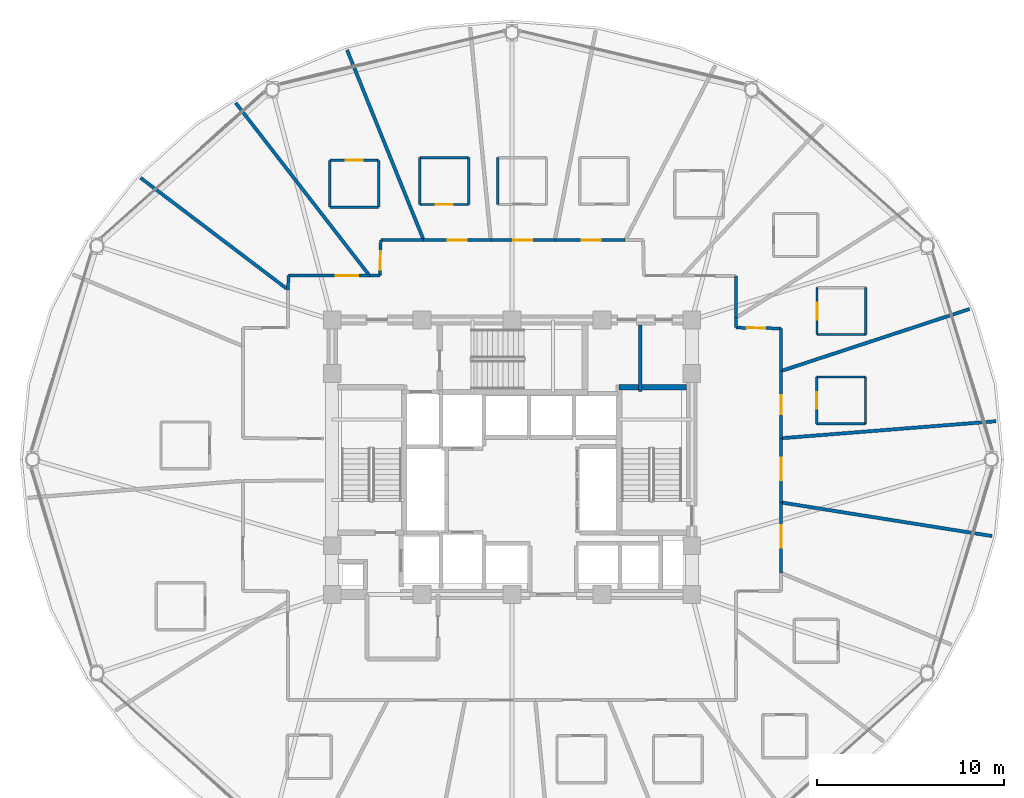
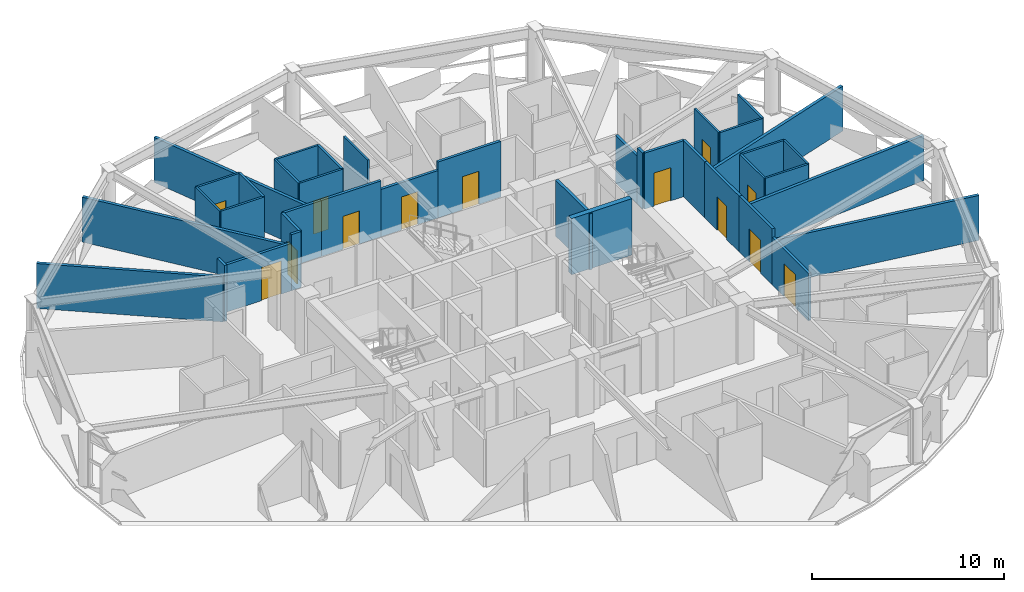
# One storey, part 27 of 32: 39 walls, 13 doors, 13 openings.
"""IFC4 building model written with IfcOpenShell, lengths in metres."""

from ifc_helpers import new_model, si_unit, direction, frame, frame_2d, origin, place, context, subcontext, project, spatial, rectangle, extrude, material, layer, layer_set, type_object, element, fill, save


model = new_model("IFC4")

# Units and contexts
model_context = context("Model", 3, precision=1e-05, world=origin(), true_north=direction((0.0, 1.0)))
body_context = subcontext(model_context, "Body", "Model", "MODEL_VIEW")
ifc_project = project(units=[si_unit("LENGTHUNIT", "METRE"), si_unit("AREAUNIT", "SQUARE_METRE"), si_unit("VOLUMEUNIT", "CUBIC_METRE"), si_unit("PLANEANGLEUNIT", "RADIAN"), si_unit("MASSUNIT", "GRAM", prefix="KILO")], contexts=[model_context])

# Site, building, storey
site_placement = place(None, origin())
site = spatial("IfcSite", under=ifc_project, at=site_placement, CompositionType="ELEMENT")
building_placement = place(site_placement, origin())
building = spatial("IfcBuilding", under=site, at=building_placement, Name="Vantalir Tower", CompositionType="ELEMENT")
storey_placement = place(building_placement, frame((0.0, 0.0, 100.949951171875)))
storey = spatial("IfcBuildingStorey", under=building, at=storey_placement, Name="L24", CompositionType="ELEMENT", Elevation=100.949951171875)

# Walls
ifc_material_1 = material(Name="Moisture-resistant en-suite partition", Category="gypsum")
ifc_layer_1 = layer(ifc_material_1, 0.125)
ifc_layer_set_1 = layer_set([ifc_layer_1], Name="Moisture-resistant en-suite partition")
wall_type_1 = type_object("IfcWallType", Name="WL-BATH-125", PredefinedType="PARTITIONING", material=ifc_layer_set_1)
for number, where, z_axis, x_axis, name in (
    (1, (47.76611328125, 26.903076171875, 0.0), (0.0, 0.0, 1.0), (1.0, 0.0, 0.0), "L24 En-suite 01 South Wall"),
    (2, (47.76611328125, 29.403076171875, 0.0), (0.0, 0.0, 1.0), (1.0, 0.0, 0.0), "L24 En-suite 01 North Wall"),
):
    element("IfcWall", number, at=place(storey_placement, frame(where, z_axis=z_axis, x_axis=x_axis)), inside=storey, type_object=wall_type_1, Name=name, PredefinedType="PARTITIONING", context=body_context, shape_type="SweptSolid", body=[
        extrude(rectangle(XDim=2.599853515625, YDim=0.125, at=frame_2d((1.2998046875, 0.0))), origin(), (0.0, 0.0, 1.0), 3.550048828125),
    ])

# Wall, opening, door
wall_1_placement = place(storey_placement, frame((47.76611328125, 26.903076171875, 0.0), z_axis=(0.0, 0.0, 1.0), x_axis=(0.0, 1.0, 0.0)))
wall_1 = element("IfcWall", 3, at=wall_1_placement, inside=storey, type_object=wall_type_1, Name="L24 En-suite 01 West Wall", PredefinedType="PARTITIONING", context=body_context, shape_type="SweptSolid", body=[
    extrude(rectangle(XDim=2.5, YDim=0.125, at=frame_2d((1.25, 0.0))), origin(), (0.0, 0.0, 1.0), 3.550048828125),
])
opening_1_placement = place(wall_1_placement, frame((0.800048828125, 0.0, 0.0)))
opening_1 = element("IfcOpeningElement", 4, at=opening_1_placement, cuts=wall_1, Name="Opening D-WC", PredefinedType="OPENING", context=body_context, shape_type="SweptSolid", body=[
    extrude(rectangle(XDim=0.89990234375, YDim=2.10009765625, at=frame_2d((0.449951171875, 1.050048828125))), frame((0.0, 0.072509765625, 0.0), z_axis=(0.0, -1.0, 0.0), x_axis=(1.0, 0.0, 0.0)), (0.0, 0.0, 1.0), 0.14501953125),
])
ifc_material_2 = material(Name="Moisture-resistant hardwood door", Category="wood")
door_type_1 = type_object("IfcDoorType", Name="DR-ENSUITE-900", OperationType="NOTDEFINED", PredefinedType="DOOR", material=ifc_material_2)
door_1_placement = place(opening_1_placement, frame((0.89990234375, 0.0, 0.0), z_axis=(0.0, 0.0, 1.0), x_axis=(-1.0, 0.0, 0.0)))
door_1 = element("IfcDoor", 5, at=door_1_placement, inside=storey, type_object=door_type_1, Name="L24 En-suite 01 Door", OperationType="SINGLE_SWING_RIGHT", OverallHeight=2.10009765625, OverallWidth=0.89990234375, PredefinedType="DOOR", context=body_context, shape_type="SweptSolid", body=[
    extrude(rectangle(XDim=0.89990234375, YDim=2.10009765625, at=frame_2d((0.449951171875, 1.050048828125))), frame((0.0, 0.02490234375, 0.0), z_axis=(0.0, -1.0, 0.0), x_axis=(1.0, 0.0, 0.0)), (0.0, 0.0, 1.0), 0.050048828125),
])
fill(opening_1, door_1)

# Walls
wall_2_placement = place(storey_placement, frame((50.365966796875, 26.903076171875, 0.0), z_axis=(0.0, 0.0, 1.0), x_axis=(0.0, 1.0, 0.0)))
element("IfcWall", 6, at=wall_2_placement, inside=storey, type_object=wall_type_1, Name="L24 En-suite 01 East Wall", PredefinedType="PARTITIONING", context=body_context, shape_type="SweptSolid", body=[
    extrude(rectangle(XDim=2.5, YDim=0.125, at=frame_2d((1.25, 0.0))), origin(), (0.0, 0.0, 1.0), 3.550048828125),
])
wall_3_placement = place(storey_placement, frame((47.784912109375, 31.673095703125, 0.0), z_axis=(0.0, 0.0, 1.0), x_axis=(1.0, 0.0, 0.0)))
element("IfcWall", 7, at=wall_3_placement, inside=storey, type_object=wall_type_1, Name="L24 En-suite 02 South Wall", PredefinedType="PARTITIONING", context=body_context, shape_type="SweptSolid", body=[
    extrude(rectangle(XDim=2.60009765625, YDim=0.125, at=frame_2d((1.300048828125, 0.0))), origin(), (0.0, 0.0, 1.0), 3.550048828125),
])

# Wall, opening, door
wall_4_placement = place(storey_placement, frame((47.784912109375, 31.673095703125, 0.0), z_axis=(0.0, 0.0, 1.0), x_axis=(0.0, 1.0, 0.0)))
wall_4 = element("IfcWall", 8, at=wall_4_placement, inside=storey, type_object=wall_type_1, Name="L24 En-suite 02 West Wall", PredefinedType="PARTITIONING", context=body_context, shape_type="SweptSolid", body=[
    extrude(rectangle(XDim=2.5, YDim=0.125, at=frame_2d((1.25, 0.0))), origin(), (0.0, 0.0, 1.0), 3.550048828125),
])
opening_2_placement = place(wall_4_placement, frame((0.800048828125, 0.0, 0.0)))
opening_2 = element("IfcOpeningElement", 9, at=opening_2_placement, cuts=wall_4, Name="Opening D-WC", PredefinedType="OPENING", context=body_context, shape_type="SweptSolid", body=[
    extrude(rectangle(XDim=0.89990234375, YDim=2.10009765625, at=frame_2d((0.449951171875, 1.050048828125))), frame((0.0, 0.072509765625, 0.0), z_axis=(0.0, -1.0, 0.0), x_axis=(1.0, 0.0, 0.0)), (0.0, 0.0, 1.0), 0.14501953125),
])
door_2_placement = place(opening_2_placement, frame((0.89990234375, 0.0, 0.0), z_axis=(0.0, 0.0, 1.0), x_axis=(-1.0, 0.0, 0.0)))
door_2 = element("IfcDoor", 10, at=door_2_placement, inside=storey, type_object=door_type_1, Name="L24 En-suite 02 Door", OperationType="SINGLE_SWING_LEFT", OverallHeight=2.10009765625, OverallWidth=0.89990234375, PredefinedType="DOOR", context=body_context, shape_type="SweptSolid", body=[
    extrude(rectangle(XDim=0.89990234375, YDim=2.10009765625, at=frame_2d((0.449951171875, 1.050048828125))), frame((0.0, 0.02490234375, 0.0), z_axis=(0.0, -1.0, 0.0), x_axis=(1.0, 0.0, 0.0)), (0.0, 0.0, 1.0), 0.050048828125),
])
fill(opening_2, door_2)

# Walls
for number, where, z_axis, x_axis, name in (
    (11, (50.385009765625, 31.673095703125, 0.0), (0.0, 0.0, 1.0), (0.0, 1.0, 0.0), "L24 En-suite 02 East Wall"),
    (12, (30.7451171875, 38.617919921875, 0.0), (0.0, 0.0, 1.0), (0.0, 1.0, 0.0), "L24 En-suite 06 West Wall"),
):
    element("IfcWall", number, at=place(storey_placement, frame(where, z_axis=z_axis, x_axis=x_axis)), inside=storey, type_object=wall_type_1, Name=name, PredefinedType="PARTITIONING", context=body_context, shape_type="SweptSolid", body=[
        extrude(rectangle(XDim=2.5, YDim=0.125, at=frame_2d((1.25, 0.0))), origin(), (0.0, 0.0, 1.0), 3.550048828125),
    ])

# Wall, opening, door
wall_5_placement = place(storey_placement, frame((26.583984375, 38.614990234375, 0.0), z_axis=(0.0, 0.0, 1.0), x_axis=(1.0, 0.0, 0.0)))
wall_5 = element("IfcWall", 13, at=wall_5_placement, inside=storey, type_object=wall_type_1, Name="L24 En-suite 07 South Wall", PredefinedType="PARTITIONING", context=body_context, shape_type="SweptSolid", body=[
    extrude(rectangle(XDim=2.60009765625, YDim=0.125, at=frame_2d((1.300048828125, 0.0))), origin(), (0.0, 0.0, 1.0), 3.550048828125),
])
opening_3_placement = place(wall_5_placement, frame((0.85009765625, 0.0, 0.0)))
opening_3 = element("IfcOpeningElement", 14, at=opening_3_placement, cuts=wall_5, Name="Opening D-WC", PredefinedType="OPENING", context=body_context, shape_type="SweptSolid", body=[
    extrude(rectangle(XDim=0.89990234375, YDim=2.10009765625, at=frame_2d((0.449951171875, 1.050048828125))), frame((0.0, 0.072509765625, 0.0), z_axis=(0.0, -1.0, 0.0), x_axis=(1.0, 0.0, 0.0)), (0.0, 0.0, 1.0), 0.14501953125),
])
door_3_placement = place(opening_3_placement, origin())
door_3 = element("IfcDoor", 15, at=door_3_placement, inside=storey, type_object=door_type_1, Name="L24 En-suite 07 Door", OperationType="SINGLE_SWING_RIGHT", OverallHeight=2.10009765625, OverallWidth=0.89990234375, PredefinedType="DOOR", context=body_context, shape_type="SweptSolid", body=[
    extrude(rectangle(XDim=0.89990234375, YDim=2.10009765625, at=frame_2d((0.449951171875, 1.050048828125))), frame((0.0, 0.02490234375, 0.0), z_axis=(0.0, -1.0, 0.0), x_axis=(1.0, 0.0, 0.0)), (0.0, 0.0, 1.0), 0.050048828125),
])
fill(opening_3, door_3)

# Walls
wall_6_placement = place(storey_placement, frame((26.583984375, 41.114990234375, 0.0), z_axis=(0.0, 0.0, 1.0), x_axis=(1.0, 0.0, 0.0)))
element("IfcWall", 16, at=wall_6_placement, inside=storey, type_object=wall_type_1, Name="L24 En-suite 07 North Wall", PredefinedType="PARTITIONING", context=body_context, shape_type="SweptSolid", body=[
    extrude(rectangle(XDim=2.60009765625, YDim=0.125, at=frame_2d((1.300048828125, 0.0))), origin(), (0.0, 0.0, 1.0), 3.550048828125),
])
for number, where, z_axis, x_axis, name in (
    (17, (26.583984375, 38.614990234375, 0.0), (0.0, 0.0, 1.0), (0.0, 1.0, 0.0), "L24 En-suite 07 West Wall"),
    (18, (29.18408203125, 38.614990234375, 0.0), (0.0, 0.0, 1.0), (0.0, 1.0, 0.0), "L24 En-suite 07 East Wall"),
):
    element("IfcWall", number, at=place(storey_placement, frame(where, z_axis=z_axis, x_axis=x_axis)), inside=storey, type_object=wall_type_1, Name=name, PredefinedType="PARTITIONING", context=body_context, shape_type="SweptSolid", body=[
        extrude(rectangle(XDim=2.5, YDim=0.125, at=frame_2d((1.25, 0.0))), origin(), (0.0, 0.0, 1.0), 3.550048828125),
    ])
wall_7_placement = place(storey_placement, frame((21.779052734375, 38.469970703125, 0.0), z_axis=(0.0, 0.0, 1.0), x_axis=(1.0, 0.0, 0.0)))
element("IfcWall", 19, at=wall_7_placement, inside=storey, type_object=wall_type_1, Name="L24 En-suite 08 South Wall", PredefinedType="PARTITIONING", context=body_context, shape_type="SweptSolid", body=[
    extrude(rectangle(XDim=2.599853515625, YDim=0.125, at=frame_2d((1.2998046875, 0.0))), origin(), (0.0, 0.0, 1.0), 3.550048828125),
])

# Wall, opening, door
wall_8_placement = place(storey_placement, frame((21.779052734375, 40.969970703125, 0.0), z_axis=(0.0, 0.0, 1.0), x_axis=(1.0, 0.0, 0.0)))
wall_8 = element("IfcWall", 20, at=wall_8_placement, inside=storey, type_object=wall_type_1, Name="L24 En-suite 08 North Wall", PredefinedType="PARTITIONING", context=body_context, shape_type="SweptSolid", body=[
    extrude(rectangle(XDim=2.599853515625, YDim=0.125, at=frame_2d((1.2998046875, 0.0))), origin(), (0.0, 0.0, 1.0), 3.550048828125),
])
opening_4_placement = place(wall_8_placement, frame((0.85009765625, 0.0, 0.0)))
opening_4 = element("IfcOpeningElement", 21, at=opening_4_placement, cuts=wall_8, Name="Opening D-WC", PredefinedType="OPENING", context=body_context, shape_type="SweptSolid", body=[
    extrude(rectangle(XDim=0.89990234375, YDim=2.10009765625, at=frame_2d((0.449951171875, 1.050048828125))), frame((0.0, 0.072509765625, 0.0), z_axis=(0.0, -1.0, 0.0), x_axis=(1.0, 0.0, 0.0)), (0.0, 0.0, 1.0), 0.14501953125),
])
door_4_placement = place(opening_4_placement, frame((0.89990234375, 0.0, 0.0), z_axis=(0.0, 0.0, 1.0), x_axis=(-1.0, 0.0, 0.0)))
door_4 = element("IfcDoor", 22, at=door_4_placement, inside=storey, type_object=door_type_1, Name="L24 En-suite 08 Door", OperationType="SINGLE_SWING_LEFT", OverallHeight=2.10009765625, OverallWidth=0.89990234375, PredefinedType="DOOR", context=body_context, shape_type="SweptSolid", body=[
    extrude(rectangle(XDim=0.89990234375, YDim=2.10009765625, at=frame_2d((0.449951171875, 1.050048828125))), frame((0.0, 0.02490234375, 0.0), z_axis=(0.0, -1.0, 0.0), x_axis=(1.0, 0.0, 0.0)), (0.0, 0.0, 1.0), 0.050048828125),
])
fill(opening_4, door_4)

# Walls
for number, where, z_axis, x_axis, name in (
    (23, (21.779052734375, 38.469970703125, 0.0), (0.0, 0.0, 1.0), (0.0, 1.0, 0.0), "L24 En-suite 08 West Wall"),
    (24, (24.37890625, 38.469970703125, 0.0), (0.0, 0.0, 1.0), (0.0, 1.0, 0.0), "L24 En-suite 08 East Wall"),
):
    element("IfcWall", number, at=place(storey_placement, frame(where, z_axis=z_axis, x_axis=x_axis)), inside=storey, type_object=wall_type_1, Name=name, PredefinedType="PARTITIONING", context=body_context, shape_type="SweptSolid", body=[
        extrude(rectangle(XDim=2.5, YDim=0.125, at=frame_2d((1.25, 0.0))), origin(), (0.0, 0.0, 1.0), 3.550048828125),
    ])
ifc_material_3 = material(Name="Fire-rated hotel corridor acoustic partition", Category="gypsum")
ifc_layer_2 = layer(ifc_material_3, 0.159912109375)
ifc_layer_set_2 = layer_set([ifc_layer_2], Name="Fire-rated hotel corridor acoustic partition")
wall_type_2 = type_object("IfcWallType", Name="WL-CORR-160", PredefinedType="PARTITIONING", material=ifc_layer_set_2)
wall_9_placement = place(storey_placement, frame((19.552978515625, 34.06201171875, 0.0), z_axis=(0.0, 0.0, 1.0), x_axis=(0.009439683565, 0.999955445195, 0.0)))
element("IfcWall", 25, at=wall_9_placement, inside=storey, type_object=wall_type_2, Name="L24 Corridor Partition 06", PredefinedType="PARTITIONING", context=body_context, shape_type="SweptSolid", body=[
    extrude(rectangle(XDim=0.75, YDim=0.159912109375, at=frame_2d((0.375, 0.0))), origin(), (0.0, 0.0, 1.0), 3.550048828125),
])

# Wall, opening, door
wall_10_placement = place(storey_placement, frame((19.56005859375, 34.81201171875, 0.0), z_axis=(0.0, 0.0, 1.0), x_axis=(0.999999771834, 0.000675523377, 0.0)))
wall_10 = element("IfcWall", 26, at=wall_10_placement, inside=storey, type_object=wall_type_2, Name="L24 Corridor Partition 07", PredefinedType="PARTITIONING", context=body_context, shape_type="SweptSolid", body=[
    extrude(rectangle(XDim=4.3369140625, YDim=0.159912109375, at=frame_2d((2.16845703125, 0.0))), origin(), (0.0, 0.0, 1.0), 3.006103515625),
])
opening_5_placement = place(wall_10_placement, frame((2.531982421875, 0.0, 0.0)))
opening_5 = element("IfcOpeningElement", 27, at=opening_5_placement, cuts=wall_10, Name="Opening D-STE", PredefinedType="OPENING", context=body_context, shape_type="SweptSolid", body=[
    extrude(rectangle(XDim=1.199951171875, YDim=2.10009765625, at=frame_2d((0.60009765625, 1.050048828125))), frame((0.0, 0.08984375, 0.0), z_axis=(0.0, -1.0, 0.0), x_axis=(1.0, 0.0, 0.0)), (0.0, 0.0, 1.0), 0.179931640625),
])
ifc_material_4 = material(Name="Solid-core teak veneer suite entrance door", Category="wood")
door_type_2 = type_object("IfcDoorType", Name="DR-SUITE-ENTRY-1200", OperationType="NOTDEFINED", PredefinedType="DOOR", material=ifc_material_4)
door_5_placement = place(opening_5_placement, origin())
door_5 = element("IfcDoor", 28, at=door_5_placement, inside=storey, type_object=door_type_2, Name="L24 Club Reading Lounge 09 Door", OperationType="SINGLE_SWING_RIGHT", OverallHeight=2.10009765625, OverallWidth=1.199951171875, PredefinedType="DOOR", context=body_context, shape_type="SweptSolid", body=[
    extrude(rectangle(XDim=1.199951171875, YDim=2.10009765625, at=frame_2d((0.60009765625, 1.050048828125))), frame((0.0, 0.02490234375, 0.0), z_axis=(0.0, -1.0, 0.0), x_axis=(1.0, 0.0, 0.0)), (0.0, 0.0, 1.0), 0.050048828125),
])
fill(opening_5, door_5)

# Wall
wall_11_placement = place(storey_placement, frame((23.89697265625, 34.81494140625, 0.0), z_axis=(0.0, 0.0, 1.0), x_axis=(1.0, 0.0, 0.0)))
element("IfcWall", 29, at=wall_11_placement, inside=storey, type_object=wall_type_2, Name="L24 Corridor Partition 08", PredefinedType="PARTITIONING", context=body_context, shape_type="SweptSolid", body=[
    extrude(rectangle(XDim=0.56298828125, YDim=0.159912109375, at=frame_2d((0.281494140625, 0.0))), origin(), (0.0, 0.0, 1.0), 3.550048828125),
])

# Wall, opening, door
wall_12_placement = place(storey_placement, frame((24.4599609375, 34.81494140625, 0.0), z_axis=(0.0, 0.0, 1.0), x_axis=(0.019012366542, 0.999819248624, 0.0)))
wall_12 = element("IfcWall", 30, at=wall_12_placement, inside=storey, type_object=wall_type_2, Name="L24 Corridor Partition 09", PredefinedType="PARTITIONING", context=body_context, shape_type="SweptSolid", body=[
    extrude(rectangle(XDim=1.900390625, YDim=0.159912109375, at=frame_2d((0.9501953125, 0.0))), origin(), (0.0, 0.0, 1.0), 3.550048828125),
])
opening_6_placement = place(wall_12_placement, frame((0.304931640625, 0.0, 0.0)))
opening_6 = element("IfcOpeningElement", 31, at=opening_6_placement, cuts=wall_12, Name="Opening D-GUEST", PredefinedType="OPENING", context=body_context, shape_type="SweptSolid", body=[
    extrude(rectangle(XDim=1.0, YDim=2.10009765625, at=frame_2d((0.5, 1.050048828125))), frame((0.0, 0.08984375, 0.0), z_axis=(0.0, -1.0, 0.0), x_axis=(1.0, 0.0, 0.0)), (0.0, 0.0, 1.0), 0.179931640625),
])
ifc_material_5 = material(Name="Solid-core teak veneer acoustic fire door", Category="wood")
door_type_3 = type_object("IfcDoorType", Name="DR-GUEST-ENTRY-1000", OperationType="NOTDEFINED", PredefinedType="DOOR", material=ifc_material_5)
door_6_placement = place(opening_6_placement, origin())
door_6 = element("IfcDoor", 32, at=door_6_placement, inside=storey, type_object=door_type_3, Name="L24 Twin Queen Hotel Room 08 Door", OperationType="SINGLE_SWING_LEFT", OverallHeight=2.10009765625, OverallWidth=1.0, PredefinedType="DOOR", context=body_context, shape_type="SweptSolid", body=[
    extrude(rectangle(XDim=1.0, YDim=2.10009765625, at=frame_2d((0.5, 1.050048828125))), frame((0.0, 0.02490234375, 0.0), z_axis=(0.0, -1.0, 0.0), x_axis=(1.0, 0.0, 0.0)), (0.0, 0.0, 1.0), 0.050048828125),
])
fill(opening_6, door_6)

# Wall
wall_13_placement = place(storey_placement, frame((24.49609375, 36.715087890625, 0.0), z_axis=(0.0, 0.0, 1.0), x_axis=(1.0, 0.0, 0.0)))
element("IfcWall", 33, at=wall_13_placement, inside=storey, type_object=wall_type_2, Name="L24 Corridor Partition 10", PredefinedType="PARTITIONING", context=body_context, shape_type="SweptSolid", body=[
    extrude(rectangle(XDim=2.286865234375, YDim=0.159912109375, at=frame_2d((1.1435546875, 0.0))), origin(), (0.0, 0.0, 1.0), 3.550048828125),
])

# Wall, opening, door
wall_14_placement = place(storey_placement, frame((26.782958984375, 36.715087890625, 0.0), z_axis=(0.0, 0.0, 1.0), x_axis=(1.0, 0.0, 0.0)))
wall_14 = element("IfcWall", 34, at=wall_14_placement, inside=storey, type_object=wall_type_2, Name="L24 Corridor Partition 11", PredefinedType="PARTITIONING", context=body_context, shape_type="SweptSolid", body=[
    extrude(rectangle(XDim=3.5830078125, YDim=0.159912109375, at=frame_2d((1.79150390625, 0.0))), origin(), (0.0, 0.0, 1.0), 3.550048828125),
])
opening_7_placement = place(wall_14_placement, frame((1.291015625, 0.0, 0.0)))
opening_7 = element("IfcOpeningElement", 35, at=opening_7_placement, cuts=wall_14, Name="Opening D-GUEST", PredefinedType="OPENING", context=body_context, shape_type="SweptSolid", body=[
    extrude(rectangle(XDim=1.0, YDim=2.10009765625, at=frame_2d((0.5, 1.050048828125))), frame((0.0, 0.08984375, 0.0), z_axis=(0.0, -1.0, 0.0), x_axis=(1.0, 0.0, 0.0)), (0.0, 0.0, 1.0), 0.179931640625),
])
door_7_placement = place(opening_7_placement, origin())
door_7 = element("IfcDoor", 36, at=door_7_placement, inside=storey, type_object=door_type_3, Name="L24 Deluxe King Hotel Room 07 Door", OperationType="SINGLE_SWING_RIGHT", OverallHeight=2.10009765625, OverallWidth=1.0, PredefinedType="DOOR", context=body_context, shape_type="SweptSolid", body=[
    extrude(rectangle(XDim=1.0, YDim=2.10009765625, at=frame_2d((0.5, 1.050048828125))), frame((0.0, 0.02490234375, 0.0), z_axis=(0.0, -1.0, 0.0), x_axis=(1.0, 0.0, 0.0)), (0.0, 0.0, 1.0), 0.050048828125),
])
fill(opening_7, door_7)

wall_15_placement = place(storey_placement, frame((30.365966796875, 36.715087890625, 0.0), z_axis=(0.0, 0.0, 1.0), x_axis=(1.0, 0.0, 0.0)))
wall_15 = element("IfcWall", 37, at=wall_15_placement, inside=storey, type_object=wall_type_2, Name="L24 Corridor Partition 12", PredefinedType="PARTITIONING", context=body_context, shape_type="SweptSolid", body=[
    extrude(rectangle(XDim=3.4189453125, YDim=0.159912109375, at=frame_2d((1.70947265625, 0.0))), origin(), (0.0, 0.0, 1.0), 3.006103515625),
])
opening_8_placement = place(wall_15_placement, frame((1.208984375, 0.0, 0.0)))
opening_8 = element("IfcOpeningElement", 38, at=opening_8_placement, cuts=wall_15, Name="Opening D-GUEST", PredefinedType="OPENING", context=body_context, shape_type="SweptSolid", body=[
    extrude(rectangle(XDim=1.0, YDim=2.10009765625, at=frame_2d((0.5, 1.050048828125))), frame((0.0, 0.08984375, 0.0), z_axis=(0.0, -1.0, 0.0), x_axis=(1.0, 0.0, 0.0)), (0.0, 0.0, 1.0), 0.179931640625),
])
door_8_placement = place(opening_8_placement, origin())
door_8 = element("IfcDoor", 39, at=door_8_placement, inside=storey, type_object=door_type_3, Name="L24 Deluxe King Hotel Room 06 Door", OperationType="SINGLE_SWING_LEFT", OverallHeight=2.10009765625, OverallWidth=1.0, PredefinedType="DOOR", context=body_context, shape_type="SweptSolid", body=[
    extrude(rectangle(XDim=1.0, YDim=2.10009765625, at=frame_2d((0.5, 1.050048828125))), frame((0.0, 0.02490234375, 0.0), z_axis=(0.0, -1.0, 0.0), x_axis=(1.0, 0.0, 0.0)), (0.0, 0.0, 1.0), 0.050048828125),
])
fill(opening_8, door_8)

wall_16_placement = place(storey_placement, frame((33.784912109375, 36.715087890625, 0.0), z_axis=(0.0, 0.0, 1.0), x_axis=(1.0, 0.0, 0.0)))
wall_16 = element("IfcWall", 40, at=wall_16_placement, inside=storey, type_object=wall_type_2, Name="L24 Corridor Partition 13", PredefinedType="PARTITIONING", context=body_context, shape_type="SweptSolid", body=[
    extrude(rectangle(XDim=3.759033203125, YDim=0.159912109375, at=frame_2d((1.87939453125, 0.0))), origin(), (0.0, 0.0, 1.0), 3.550048828125),
])
opening_9_placement = place(wall_16_placement, frame((1.450927734375, 0.0, 0.0)))
opening_9 = element("IfcOpeningElement", 41, at=opening_9_placement, cuts=wall_16, Name="Opening D-GUEST", PredefinedType="OPENING", context=body_context, shape_type="SweptSolid", body=[
    extrude(rectangle(XDim=1.0, YDim=2.10009765625, at=frame_2d((0.5, 1.050048828125))), frame((0.0, 0.08984375, 0.0), z_axis=(0.0, -1.0, 0.0), x_axis=(1.0, 0.0, 0.0)), (0.0, 0.0, 1.0), 0.179931640625),
])
door_9_placement = place(opening_9_placement, origin())
door_9 = element("IfcDoor", 42, at=door_9_placement, inside=storey, type_object=door_type_3, Name="L24 Twin Queen Hotel Room 05 Door", OperationType="SINGLE_SWING_RIGHT", OverallHeight=2.10009765625, OverallWidth=1.0, PredefinedType="DOOR", context=body_context, shape_type="SweptSolid", body=[
    extrude(rectangle(XDim=1.0, YDim=2.10009765625, at=frame_2d((0.5, 1.050048828125))), frame((0.0, 0.02490234375, 0.0), z_axis=(0.0, -1.0, 0.0), x_axis=(1.0, 0.0, 0.0)), (0.0, 0.0, 1.0), 0.050048828125),
])
fill(opening_9, door_9)

# Walls
wall_17_placement = place(storey_placement, frame((43.447021484375, 34.80810546875, 0.0), z_axis=(0.0, 0.0, 1.0), x_axis=(0.006657060824, -0.999977841525, 0.0)))
element("IfcWall", 43, at=wall_17_placement, inside=storey, type_object=wall_type_2, Name="L24 Corridor Partition 18", PredefinedType="PARTITIONING", context=body_context, shape_type="SweptSolid", body=[
    extrude(rectangle(XDim=2.237060546875, YDim=0.159912109375, at=frame_2d((1.11865234375, 0.0))), origin(), (0.0, 0.0, 1.0), 3.006103515625),
])
wall_18_placement = place(storey_placement, frame((43.4619140625, 32.571044921875, 0.0), z_axis=(0.0, 0.0, 1.0), x_axis=(0.005976904734, -0.999982138145, 0.0)))
element("IfcWall", 44, at=wall_18_placement, inside=storey, type_object=wall_type_2, Name="L24 Corridor Partition 19", PredefinedType="PARTITIONING", context=body_context, shape_type="SweptSolid", body=[
    extrude(rectangle(XDim=0.531005859375, YDim=0.159912109375, at=frame_2d((0.265625, 0.0))), origin(), (0.0, 0.0, 1.0), 3.550048828125),
])

# Wall, opening, door
wall_19_placement = place(storey_placement, frame((43.465087890625, 32.0400390625, 0.0), z_axis=(0.0, 0.0, 1.0), x_axis=(0.999860857432, -0.016681300165, 0.0)))
wall_19 = element("IfcWall", 45, at=wall_19_placement, inside=storey, type_object=wall_type_2, Name="L24 Corridor Partition 20", PredefinedType="PARTITIONING", context=body_context, shape_type="SweptSolid", body=[
    extrude(rectangle(XDim=2.400146484375, YDim=0.159912109375, at=frame_2d((1.2001953125, 0.0))), origin(), (0.0, 0.0, 1.0), 3.550048828125),
])
opening_10_placement = place(wall_19_placement, frame((0.56494140625, 0.0, 0.0)))
opening_10 = element("IfcOpeningElement", 46, at=opening_10_placement, cuts=wall_19, Name="Opening D-GUEST", PredefinedType="OPENING", context=body_context, shape_type="SweptSolid", body=[
    extrude(rectangle(XDim=1.0, YDim=2.10009765625, at=frame_2d((0.5, 1.050048828125))), frame((0.0, 0.08984375, 0.0), z_axis=(0.0, -1.0, 0.0), x_axis=(1.0, 0.0, 0.0)), (0.0, 0.0, 1.0), 0.179931640625),
])
door_10_placement = place(opening_10_placement, origin())
door_10 = element("IfcDoor", 47, at=door_10_placement, inside=storey, type_object=door_type_3, Name="L24 Deluxe King Hotel Room 02 Door", OperationType="SINGLE_SWING_LEFT", OverallHeight=2.10009765625, OverallWidth=1.0, PredefinedType="DOOR", context=body_context, shape_type="SweptSolid", body=[
    extrude(rectangle(XDim=1.0, YDim=2.10009765625, at=frame_2d((0.5, 1.050048828125))), frame((0.0, 0.02490234375, 0.0), z_axis=(0.0, -1.0, 0.0), x_axis=(1.0, 0.0, 0.0)), (0.0, 0.0, 1.0), 0.050048828125),
])
fill(opening_10, door_10)

# Wall
wall_20_placement = place(storey_placement, frame((45.864990234375, 32.0, 0.0), z_axis=(0.0, 0.0, 1.0), x_axis=(0.0, -1.0, 0.0)))
element("IfcWall", 48, at=wall_20_placement, inside=storey, type_object=wall_type_2, Name="L24 Corridor Partition 21", PredefinedType="PARTITIONING", context=body_context, shape_type="SweptSolid", body=[
    extrude(rectangle(XDim=2.27392578125, YDim=0.159912109375, at=frame_2d((1.136962890625, 0.0))), origin(), (0.0, 0.0, 1.0), 3.550048828125),
])

# Wall, opening, door
wall_21_placement = place(storey_placement, frame((45.864990234375, 29.72607421875, 0.0), z_axis=(0.0, 0.0, 1.0), x_axis=(0.0, -1.0, 0.0)))
wall_21 = element("IfcWall", 49, at=wall_21_placement, inside=storey, type_object=wall_type_2, Name="L24 Corridor Partition 22", PredefinedType="PARTITIONING", context=body_context, shape_type="SweptSolid", body=[
    extrude(rectangle(XDim=3.590087890625, YDim=0.159912109375, at=frame_2d((1.794921875, 0.0))), origin(), (0.0, 0.0, 1.0), 3.550048828125),
])
opening_11_placement = place(wall_21_placement, frame((1.294921875, 0.0, 0.0)))
opening_11 = element("IfcOpeningElement", 50, at=opening_11_placement, cuts=wall_21, Name="Opening D-GUEST", PredefinedType="OPENING", context=body_context, shape_type="SweptSolid", body=[
    extrude(rectangle(XDim=1.0, YDim=2.10009765625, at=frame_2d((0.5, 1.050048828125))), frame((0.0, 0.08984375, 0.0), z_axis=(0.0, -1.0, 0.0), x_axis=(1.0, 0.0, 0.0)), (0.0, 0.0, 1.0), 0.179931640625),
])
door_11_placement = place(opening_11_placement, origin())
door_11 = element("IfcDoor", 51, at=door_11_placement, inside=storey, type_object=door_type_3, Name="L24 Twin Queen Hotel Room 01 Door", OperationType="SINGLE_SWING_RIGHT", OverallHeight=2.10009765625, OverallWidth=1.0, PredefinedType="DOOR", context=body_context, shape_type="SweptSolid", body=[
    extrude(rectangle(XDim=1.0, YDim=2.10009765625, at=frame_2d((0.5, 1.050048828125))), frame((0.0, 0.02490234375, 0.0), z_axis=(0.0, -1.0, 0.0), x_axis=(1.0, 0.0, 0.0)), (0.0, 0.0, 1.0), 0.050048828125),
])
fill(opening_11, door_11)

wall_22_placement = place(storey_placement, frame((45.864990234375, 26.135986328125, 0.0), z_axis=(0.0, 0.0, 1.0), x_axis=(0.0, -1.0, 0.0)))
wall_22 = element("IfcWall", 52, at=wall_22_placement, inside=storey, type_object=wall_type_2, Name="L24 Corridor Partition 23", PredefinedType="PARTITIONING", context=body_context, shape_type="SweptSolid", body=[
    extrude(rectangle(XDim=3.426025390625, YDim=0.159912109375, at=frame_2d((1.712890625, 0.0))), origin(), (0.0, 0.0, 1.0), 3.550048828125),
])
opening_12_placement = place(wall_22_placement, frame((1.0400390625, 0.0, 0.0)))
opening_12 = element("IfcOpeningElement", 53, at=opening_12_placement, cuts=wall_22, Name="Opening D-STE", PredefinedType="OPENING", context=body_context, shape_type="SweptSolid", body=[
    extrude(rectangle(XDim=1.199951171875, YDim=2.10009765625, at=frame_2d((0.60009765625, 1.050048828125))), frame((0.0, 0.08984375, 0.0), z_axis=(0.0, -1.0, 0.0), x_axis=(1.0, 0.0, 0.0)), (0.0, 0.0, 1.0), 0.179931640625),
])
door_12_placement = place(opening_12_placement, origin())
door_12 = element("IfcDoor", 54, at=door_12_placement, inside=storey, type_object=door_type_2, Name="L24 Executive Sky Boardroom 21 Door", OperationType="SINGLE_SWING_RIGHT", OverallHeight=2.10009765625, OverallWidth=1.199951171875, PredefinedType="DOOR", context=body_context, shape_type="SweptSolid", body=[
    extrude(rectangle(XDim=1.199951171875, YDim=2.10009765625, at=frame_2d((0.60009765625, 1.050048828125))), frame((0.0, 0.02490234375, 0.0), z_axis=(0.0, -1.0, 0.0), x_axis=(1.0, 0.0, 0.0)), (0.0, 0.0, 1.0), 0.050048828125),
])
fill(opening_12, door_12)

wall_23_placement = place(storey_placement, frame((45.864990234375, 22.7099609375, 0.0), z_axis=(0.0, 0.0, 1.0), x_axis=(0.0, -1.0, 0.0)))
wall_23 = element("IfcWall", 55, at=wall_23_placement, inside=storey, type_object=wall_type_2, Name="L24 Corridor Partition 24", PredefinedType="PARTITIONING", context=body_context, shape_type="SweptSolid", body=[
    extrude(rectangle(XDim=3.764892578125, YDim=0.159912109375, at=frame_2d((1.88232421875, 0.0))), origin(), (0.0, 0.0, 1.0), 3.006103515625),
])
opening_13_placement = place(wall_23_placement, frame((1.2080078125, 0.0, 0.0)))
opening_13 = element("IfcOpeningElement", 56, at=opening_13_placement, cuts=wall_23, Name="Opening D-STE", PredefinedType="OPENING", context=body_context, shape_type="SweptSolid", body=[
    extrude(rectangle(XDim=1.199951171875, YDim=2.10009765625, at=frame_2d((0.60009765625, 1.050048828125))), frame((0.0, 0.08984375, 0.0), z_axis=(0.0, -1.0, 0.0), x_axis=(1.0, 0.0, 0.0)), (0.0, 0.0, 1.0), 0.179931640625),
])
door_13_placement = place(opening_13_placement, origin())
door_13 = element("IfcDoor", 57, at=door_13_placement, inside=storey, type_object=door_type_2, Name="L24 Club Reading Lounge 20 Door", OperationType="SINGLE_SWING_LEFT", OverallHeight=2.10009765625, OverallWidth=1.199951171875, PredefinedType="DOOR", context=body_context, shape_type="SweptSolid", body=[
    extrude(rectangle(XDim=1.199951171875, YDim=2.10009765625, at=frame_2d((0.60009765625, 1.050048828125))), frame((0.0, 0.02490234375, 0.0), z_axis=(0.0, -1.0, 0.0), x_axis=(1.0, 0.0, 0.0)), (0.0, 0.0, 1.0), 0.050048828125),
])
fill(opening_13, door_13)

# Walls
ifc_material_6 = material(Name="Twin-stud acoustic fire-rated gypsum partition", Category="gypsum")
ifc_layer_3 = layer(ifc_material_6, 0.179931640625)
ifc_layer_set_3 = layer_set([ifc_layer_3], Name="Twin-stud acoustic fire-rated gypsum partition")
wall_type_3 = type_object("IfcWallType", Name="WL-GUEST-180", PredefinedType="PARTITIONING", material=ifc_layer_set_3)
wall_24_placement = place(storey_placement, frame((38.340087890625, 28.6201171875, 0.0), z_axis=(0.0, 0.0, 1.0), x_axis=(0.0, 1.0, 0.0)))
element("IfcWall", 58, at=wall_24_placement, inside=storey, type_object=wall_type_3, Name="L24 High-Rise Lift Lobby East Wall", PredefinedType="PARTITIONING", context=body_context, shape_type="SweptSolid", body=[
    extrude(rectangle(XDim=3.554931640625, YDim=0.179931640625, at=frame_2d((1.77734375, 0.0))), origin(), (0.0, 0.0, 1.0), 3.550048828125),
])
wall_25_placement = place(storey_placement, frame((45.93994140625, 26.14208984375, 0.0), z_axis=(0.0, 0.0, 1.0), x_axis=(0.996883758337, 0.078884550861, 0.0)))
element("IfcWall", 59, at=wall_25_placement, inside=storey, type_object=wall_type_3, Name="L24 Radial Suite Partition 01", PredefinedType="PARTITIONING", context=body_context, shape_type="SweptSolid", body=[
    extrude(rectangle(XDim=11.4326171875, YDim=0.179931640625, at=frame_2d((5.71630859375, 0.0))), origin(), (0.0, 0.0, 1.0), 2.85107421875),
])
wall_26_placement = place(storey_placement, frame((45.93994140625, 29.7509765625, 0.0), z_axis=(0.0, 0.0, 1.0), x_axis=(0.949944208781, 0.312419589979, 0.0)))
element("IfcWall", 60, at=wall_26_placement, inside=storey, type_object=wall_type_3, Name="L24 Radial Suite Partition 02", PredefinedType="PARTITIONING", context=body_context, shape_type="SweptSolid", body=[
    extrude(rectangle(XDim=10.508056640625, YDim=0.179931640625, at=frame_2d((5.25390625, 0.0))), origin(), (0.0, 0.0, 1.0), 2.85107421875),
])
wall_27_placement = place(storey_placement, frame((26.7529296875, 36.7900390625, 0.0), z_axis=(0.0, 0.0, 1.0), x_axis=(-0.373572415838, 0.927601018825, 0.0)))
element("IfcWall", 61, at=wall_27_placement, inside=storey, type_object=wall_type_3, Name="L24 Radial Suite Partition 08", PredefinedType="PARTITIONING", context=body_context, shape_type="SweptSolid", body=[
    extrude(rectangle(XDim=10.857177734375, YDim=0.179931640625, at=frame_2d((5.4287109375, 0.0))), origin(), (0.0, 0.0, 1.0), 2.85107421875),
])
wall_28_placement = place(storey_placement, frame((23.839111328125, 34.889892578125, 0.0), z_axis=(0.0, 0.0, 1.0), x_axis=(-0.612421130514, 0.790531693798, 0.0)))
element("IfcWall", 62, at=wall_28_placement, inside=storey, type_object=wall_type_3, Name="L24 Radial Suite Partition 09", PredefinedType="PARTITIONING", context=body_context, shape_type="SweptSolid", body=[
    extrude(rectangle(XDim=11.5771484375, YDim=0.179931640625, at=frame_2d((5.78857421875, 0.0))), origin(), (0.0, 0.0, 1.0), 2.85107421875),
])
wall_29_placement = place(storey_placement, frame((19.4599609375, 34.132080078125, 0.0), z_axis=(0.0, 0.0, 1.0), x_axis=(-0.796739781995, 0.604322529604, 0.0)))
element("IfcWall", 63, at=wall_29_placement, inside=storey, type_object=wall_type_3, Name="L24 Radial Suite Partition 10", PredefinedType="PARTITIONING", context=body_context, shape_type="SweptSolid", body=[
    extrude(rectangle(XDim=9.776123046875, YDim=0.179931640625, at=frame_2d((4.88818359375, 0.0))), origin(), (0.0, 0.0, 1.0), 2.85107421875),
])
wall_30_placement = place(storey_placement, frame((45.93994140625, 22.697998046875, 0.0), z_axis=(0.0, 0.0, 1.0), x_axis=(0.987536339433, -0.157391163347, 0.0)))
element("IfcWall", 64, at=wall_30_placement, inside=storey, type_object=wall_type_3, Name="L24 Radial Suite Partition 21", PredefinedType="PARTITIONING", context=body_context, shape_type="SweptSolid", body=[
    extrude(rectangle(XDim=11.328125, YDim=0.179931640625, at=frame_2d((5.6640625, 0.0))), origin(), (0.0, 0.0, 1.0), 2.85107421875),
])
ifc_material_7 = material(Name="Concrete C50/60", Category="concrete")
ifc_layer_4 = layer(ifc_material_7, 0.300048828125)
ifc_layer_set_4 = layer_set([ifc_layer_4], Name="Concrete C50/60")
wall_type_4 = type_object("IfcWallType", Name="WL-STAIR-300", PredefinedType="SHEAR", material=ifc_layer_set_4)
wall_31_placement = place(storey_placement, frame((37.2099609375, 28.85009765625, 0.0), z_axis=(0.0, 0.0, 1.0), x_axis=(1.0, 0.0, 0.0)))
element("IfcWall", 65, at=wall_31_placement, inside=storey, type_object=wall_type_4, Name="L24 Stair ST2 North Wall", PredefinedType="SHEAR", context=body_context, shape_type="SweptSolid", body=[
    extrude(rectangle(XDim=3.614990234375, YDim=0.300048828125, at=frame_2d((1.8076171875, 0.0))), origin(), (0.0, 0.0, 1.0), 3.570068359375),
])

save(model, "model.ifc")
